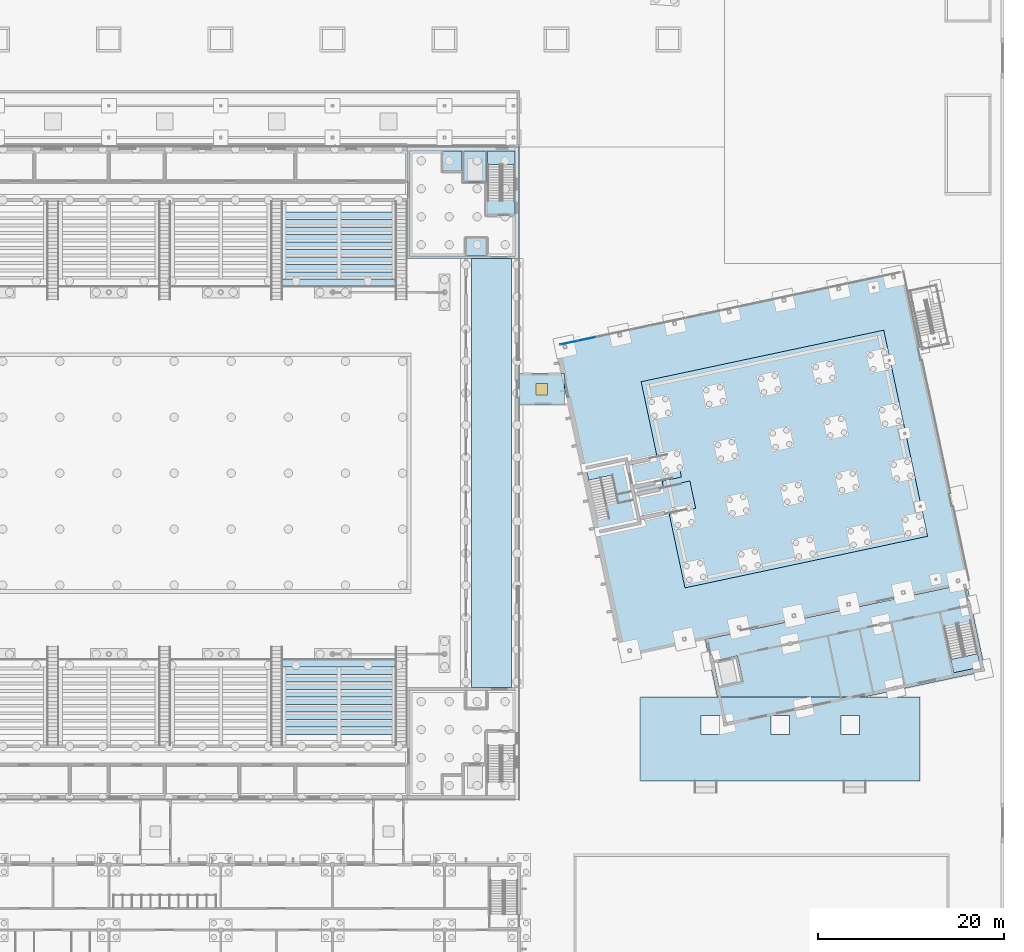
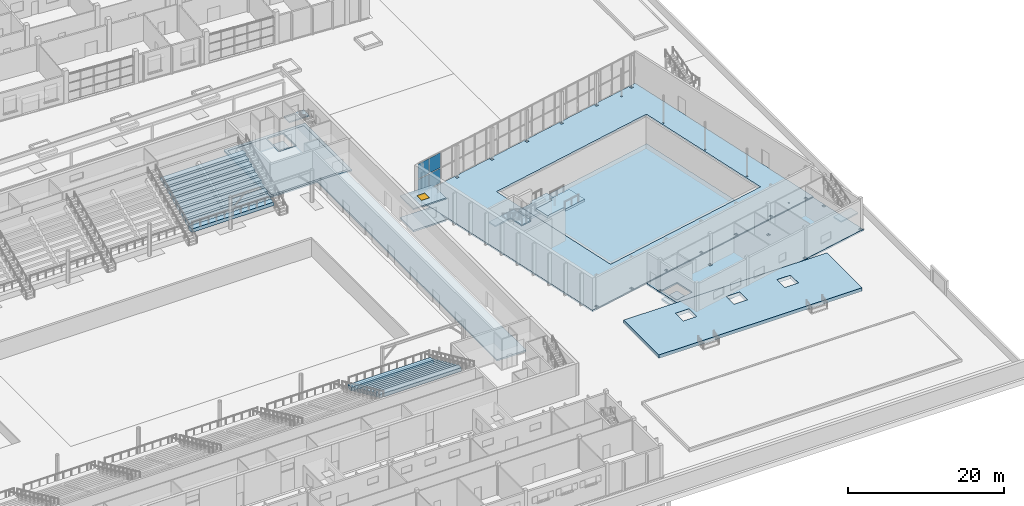
# One storey, part 70 of 157: 36 slabs, 4 plates, 1 window, 1 opening, 4 elements without a shape of their own.
"""IFC4 building model written with IfcOpenShell, lengths in metres."""

from ifc_helpers import new_model, si_unit, direction, frame, origin, origin_2d, place, context, subcontext, project, spatial, polyline, rectangle, outline, extrude, material, layer, layer_set, type_object, element, fill, aggregate, save


model = new_model("IFC4")

# Units and contexts
model_context = context("Model", 3, precision=1e-05, world=origin(), true_north=direction((0.0, 1.0)))
body_context = subcontext(model_context, "Body", "Model", "MODEL_VIEW")
ifc_project = project(units=[si_unit("LENGTHUNIT", "METRE"), si_unit("AREAUNIT", "SQUARE_METRE"), si_unit("VOLUMEUNIT", "CUBIC_METRE"), si_unit("PLANEANGLEUNIT", "RADIAN"), si_unit("MASSUNIT", "GRAM", prefix="KILO")], contexts=[model_context])

# Site, building, storey
site_placement = place(None, origin())
site = spatial("IfcSite", under=ifc_project, at=site_placement, CompositionType="ELEMENT")
building_placement = place(site_placement, origin())
building = spatial("IfcBuilding", under=site, at=building_placement, Name="Windward Yard Aquatics Centre", CompositionType="ELEMENT")
storey_placement = place(building_placement, origin())
storey = spatial("IfcBuildingStorey", under=building, at=storey_placement, Name="L00", CompositionType="ELEMENT", Elevation=0.0)

# Slab
ifc_material_1 = material(Name="Concrete C35/45", Category="concrete")
ifc_layer_1 = layer(ifc_material_1, 0.25)
ifc_layer_set_1 = layer_set([ifc_layer_1], Name="C link ground slab 250")
slab_type_1 = type_object("IfcSlabType", Name="C link ground slab 250", PredefinedType="BASESLAB", material=ifc_layer_set_1)
slab_1_placement = place(storey_placement, frame((0.0, 0.0, -0.25)))
element("IfcSlab", 1, at=slab_1_placement, inside=storey, type_object=slab_type_1, Name="Covered diving hall link floor", PredefinedType="BASESLAB", context=body_context, shape_type="SweptSolid", body=[
    extrude(outline(polyline([(152.0, 68.300048828125), (152.0, 71.699951171875), (156.513671875, 71.699951171875), (156.875, 70.0), (156.875, 68.300048828125), (152.0, 68.300048828125)])), origin(), (0.0, 0.0, 1.0), 0.25),
])

# Slab, opening, window
ifc_layer_2 = layer(ifc_material_1, 0.199951171875)
ifc_layer_set_2 = layer_set([ifc_layer_2], Name="C link roof slab 200")
slab_type_2 = type_object("IfcSlabType", Name="C link roof slab 200", PredefinedType="ROOF", material=ifc_layer_set_2)
slab_2_placement = place(storey_placement, frame((0.0, 0.0, 3.199951171875)))
slab_2 = element("IfcSlab", 2, at=slab_2_placement, inside=storey, type_object=slab_type_2, Name="Covered diving hall link roof", PredefinedType="ROOF", context=body_context, shape_type="SweptSolid", body=[
    extrude(outline(polyline([(152.0, 68.300048828125), (152.0, 71.699951171875), (156.875, 71.699951171875), (156.875, 68.300048828125), (152.0, 68.300048828125)])), origin(), (0.0, 0.0, 1.0), 0.199951171875),
])
opening_placement = place(slab_2_placement, frame((154.43798828125, 70.0, 0.0)))
opening = element("IfcOpeningElement", 3, at=opening_placement, cuts=slab_2, Name="Opening CSK04", PredefinedType="OPENING", context=body_context, shape_type="SweptSolid", body=[
    extrude(rectangle(XDim=1.199951171875, YDim=1.199951171875, at=origin_2d()), origin(), (0.0, 0.0, 1.0), 0.199951171875),
])
ifc_material_2 = material(Name="Aluminium framed laminated glazing", Category="aluminium")
window_type = type_object("IfcWindowType", Name="C skylight 1200X1200", PartitioningType="SINGLE_PANEL", PredefinedType="SKYLIGHT", material=ifc_material_2)
window_placement = place(opening_placement, frame((0.0, 0.0, 0.14990234375)))
window = element("IfcWindow", 4, at=window_placement, inside=storey, type_object=window_type, Name="Roof light 1 of the covered diving hall link", OverallHeight=1.199951171875, OverallWidth=1.199951171875, PartitioningType="SINGLE_PANEL", PredefinedType="SKYLIGHT", context=body_context, shape_type="SweptSolid", body=[
    extrude(rectangle(XDim=1.199951171875, YDim=1.199951171875, at=origin_2d()), origin(), (0.0, 0.0, 1.0), 0.050048828125),
])
fill(opening, window)

# Stair, slab
stair_type_1 = type_object("IfcStairType", Name="D Annex stair dog-leg stair", PredefinedType="HALF_TURN_STAIR", material=ifc_material_1)
stair_1_placement = place(storey_placement, origin())
stair_1 = element("IfcStair", 5, at=stair_1_placement, inside=storey, type_object=stair_type_1, Name="L00 Annex stair", PredefinedType="HALF_TURN_STAIR")
ifc_layer_3 = layer(ifc_material_1, 0.199951171875)
ifc_layer_set_3 = layer_set([ifc_layer_3], Name="D Annex stair stair landing 200")
slab_type_3 = type_object("IfcSlabType", Name="D Annex stair stair landing 200", PredefinedType="LANDING", material=ifc_layer_set_3)
slab_3_placement = place(storey_placement, frame((0.0, 0.0, 2.300048828125)))
slab_3 = element("IfcSlab", 6, at=slab_3_placement, type_object=slab_type_3, Name="D-ST1 landing 1", PredefinedType="LANDING", context=body_context, shape_type="SweptSolid", body=[
    extrude(outline(polyline([(198.302978515625, 41.032958984375), (198.608642578125, 39.59521484375), (201.494140625, 40.20849609375), (201.1884765625, 41.646240234375), (198.302978515625, 41.032958984375)])), origin(), (0.0, 0.0, 1.0), 0.199951171875),
])
aggregate(stair_1, [slab_3])

# Curtain wall, plates
ifc_material_3 = material(Name="Aluminium and glass", Category="aluminium")
ifc_layer_4 = layer(ifc_material_3, 0.159912109375)
ifc_layer_set_4 = layer_set([ifc_layer_4], Name="D curtain wall 160")
curtain_wall_type = type_object("IfcCurtainWallType", Name="D curtain wall 160", PredefinedType="NOTDEFINED", material=ifc_layer_set_4)
curtain_wall_placement = place(storey_placement, origin())
curtain_wall = element("IfcCurtainWall", 7, at=curtain_wall_placement, inside=storey, type_object=curtain_wall_type, Name="North glazing L00", PredefinedType="NOTDEFINED")
ifc_material_4 = material(Name="Laminated low-iron glass", Category="glass")
ifc_layer_5 = layer(ifc_material_4, 0.028076171875)
ifc_layer_set_5 = layer_set([ifc_layer_5], Name="D curtain wall glass panel 28")
plate_type = type_object("IfcPlateType", Name="D curtain wall glass panel 28", PredefinedType="CURTAIN_PANEL", material=ifc_layer_set_5)
plate_1_placement = place(storey_placement, frame((157.345947265625, 74.989501953125, 0.1201171875), z_axis=(0.0, 0.0, 1.0), x_axis=(0.978147594815, 0.207911718662, 0.0)))
plate_1 = element("IfcPlate", 8, at=plate_1_placement, type_object=plate_type, Name="DCW-L00 panel 1.1", PredefinedType="CURTAIN_PANEL", context=body_context, shape_type="SweptSolid", body=[
    extrude(rectangle(XDim=1.875732421875, YDim=0.028076171875, at=origin_2d()), origin(), (0.0, 0.0, 1.0), 2.320068359375),
])
plate_2_placement = place(storey_placement, frame((157.345947265625, 74.989501953125, 2.56005859375), z_axis=(0.0, 0.0, 1.0), x_axis=(0.978147594815, 0.207911718662, 0.0)))
plate_2 = element("IfcPlate", 9, at=plate_2_placement, type_object=plate_type, Name="DCW-L00 panel 1.2", PredefinedType="CURTAIN_PANEL", context=body_context, shape_type="SweptSolid", body=[
    extrude(rectangle(XDim=1.875732421875, YDim=0.028076171875, at=origin_2d()), origin(), (0.0, 0.0, 1.0), 2.320068359375),
])
plate_3_placement = place(storey_placement, frame((159.254150390625, 75.395263671875, 0.1201171875), z_axis=(0.0, 0.0, 1.0), x_axis=(0.978147594815, 0.207911718662, 0.0)))
plate_3 = element("IfcPlate", 10, at=plate_3_placement, type_object=plate_type, Name="DCW-L00 panel 2.1", PredefinedType="CURTAIN_PANEL", context=body_context, shape_type="SweptSolid", body=[
    extrude(rectangle(XDim=1.90576171875, YDim=0.028076171875, at=origin_2d()), origin(), (0.0, 0.0, 1.0), 2.320068359375),
])
plate_4_placement = place(storey_placement, frame((159.254150390625, 75.395263671875, 2.56005859375), z_axis=(0.0, 0.0, 1.0), x_axis=(0.978147594815, 0.207911718662, 0.0)))
plate_4 = element("IfcPlate", 11, at=plate_4_placement, type_object=plate_type, Name="DCW-L00 panel 2.2", PredefinedType="CURTAIN_PANEL", context=body_context, shape_type="SweptSolid", body=[
    extrude(rectangle(XDim=1.90576171875, YDim=0.028076171875, at=origin_2d()), origin(), (0.0, 0.0, 1.0), 2.320068359375),
])
aggregate(curtain_wall, [plate_1, plate_2, plate_3, plate_4])

# Slabs
ifc_layer_6 = layer(ifc_material_1, 0.39990234375)
ifc_layer_set_6 = layer_set([ifc_layer_6], Name="D diving platform slab 400")
slab_type_4 = type_object("IfcSlabType", Name="D diving platform slab 400", PredefinedType="FLOOR", material=ifc_layer_set_6)
slab_4_placement = place(storey_placement, frame((0.0, 0.0, 2.60009765625)))
element("IfcSlab", 12, at=slab_4_placement, inside=storey, type_object=slab_type_4, Name="D.S.PF1", PredefinedType="FLOOR", context=body_context, shape_type="SweptSolid", body=[
    extrude(outline(polyline([(163.772705078125, 61.83837890625), (164.22998046875, 59.6865234375), (166.52880859375, 60.175048828125), (166.5703125, 59.9794921875), (169.406982421875, 60.58251953125), (168.82470703125, 63.3212890625), (165.98828125, 62.71826171875), (166.0712890625, 62.326904296875), (163.772705078125, 61.83837890625)])), origin(), (0.0, 0.0, 1.0), 0.39990234375),
])
slab_5_placement = place(storey_placement, frame((0.0, 0.0, 4.60009765625)))
element("IfcSlab", 13, at=slab_5_placement, inside=storey, type_object=slab_type_4, Name="D.S.PF2", PredefinedType="FLOOR", context=body_context, shape_type="SweptSolid", body=[
    extrude(outline(polyline([(164.4794921875, 58.5126953125), (164.93701171875, 56.36083984375), (167.626953125, 56.9326171875), (167.710205078125, 56.541259765625), (170.93798828125, 57.227294921875), (170.314208984375, 60.161865234375), (167.086181640625, 59.475830078125), (167.16943359375, 59.08447265625), (164.4794921875, 58.5126953125)])), origin(), (0.0, 0.0, 1.0), 0.39990234375),
])
ifc_layer_7 = layer(ifc_material_1, 0.25)
ifc_layer_set_7 = layer_set([ifc_layer_7], Name="D ground slab 250")
slab_type_5 = type_object("IfcSlabType", Name="D ground slab 250", PredefinedType="BASESLAB", material=ifc_layer_set_7)
slab_6_placement = place(storey_placement, frame((0.0, 0.0, -0.25)))
element("IfcSlab", 14, at=slab_6_placement, inside=storey, type_object=slab_type_5, Name="D.S.GROUND", PredefinedType="BASESLAB", context=body_context, shape_type="SweptSolid", body=[
    extrude(outline(polyline([(171.930908203125, 43.1767578125), (173.927001953125, 33.78662109375), (201.999755859375, 39.753662109375), (200.00390625, 49.143798828125), (171.930908203125, 43.1767578125)]), holes=[polyline([(173.882080078125, 34.2373046875), (174.2734375, 34.3203125), (174.356689453125, 33.92919921875), (173.96533203125, 33.845947265625), (173.882080078125, 34.2373046875)]), polyline([(182.294189453125, 36.025146484375), (182.685546875, 36.1083984375), (182.768798828125, 35.717041015625), (182.37744140625, 35.634033203125), (182.294189453125, 36.025146484375)]), polyline([(192.07568359375, 38.104248046875), (192.467041015625, 38.1875), (192.55029296875, 37.796142578125), (192.158935546875, 37.713134765625), (192.07568359375, 38.104248046875)]), polyline([(201.466064453125, 40.100341796875), (201.857421875, 40.18359375), (201.9404296875, 39.792236328125), (201.54931640625, 39.708984375), (201.466064453125, 40.100341796875)]), polyline([(172.4267578125, 41.084228515625), (172.818115234375, 41.16748046875), (172.880615234375, 40.873779296875), (175.423583984375, 41.41455078125), (176.026611328125, 38.577880859375), (173.4345703125, 38.02685546875), (172.852294921875, 40.765625), (172.510009765625, 40.693115234375), (172.4267578125, 41.084228515625)]), polyline([(180.8388671875, 42.872314453125), (181.230224609375, 42.955322265625), (181.313232421875, 42.564208984375), (180.922119140625, 42.48095703125), (180.8388671875, 42.872314453125)]), polyline([(190.620361328125, 44.951416015625), (191.01171875, 45.034423828125), (191.0947265625, 44.643310546875), (190.70361328125, 44.56005859375), (190.620361328125, 44.951416015625)]), polyline([(200.010498046875, 46.947265625), (200.40185546875, 47.030517578125), (200.485107421875, 46.63916015625), (200.09375, 46.55615234375), (200.010498046875, 46.947265625)])]), origin(), (0.0, 0.0, 1.0), 0.25),
])
ifc_layer_8 = layer(ifc_material_1, 0.300048828125)
ifc_layer_set_8 = layer_set([ifc_layer_8], Name="D lift pit floor 300")
slab_type_6 = type_object("IfcSlabType", Name="D lift pit floor 300", PredefinedType="BASESLAB", material=ifc_layer_set_8)
slab_7_placement = place(storey_placement, frame((0.0, 0.0, -1.60009765625)))
element("IfcSlab", 15, at=slab_7_placement, inside=storey, type_object=slab_type_6, Name="D.S.PIT", PredefinedType="BASESLAB", context=body_context, shape_type="SweptSolid", body=[
    extrude(outline(polyline([(172.83154296875, 40.863525390625), (173.4345703125, 38.02685546875), (176.026611328125, 38.577880859375), (175.423583984375, 41.41455078125), (172.83154296875, 40.863525390625)])), origin(), (0.0, 0.0, 1.0), 0.300048828125),
])
ifc_layer_9 = layer(ifc_material_1, 0.25)
ifc_layer_set_9 = layer_set([ifc_layer_9], Name="D pool deck slab 250")
slab_type_7 = type_object("IfcSlabType", Name="D pool deck slab 250", PredefinedType="BASESLAB", material=ifc_layer_set_9)
slab_8_placement = place(storey_placement, frame((0.0, 0.0, -0.25)))
element("IfcSlab", 16, at=slab_8_placement, inside=storey, type_object=slab_type_7, Name="D.S.DECK", PredefinedType="BASESLAB", context=body_context, shape_type="SweptSolid", body=[
    extrude(outline(polyline([(155.880615234375, 74.67822265625), (162.94970703125, 41.421142578125), (200.119384765625, 49.32177734375), (193.05029296875, 82.578857421875), (155.880615234375, 74.67822265625)]), holes=[polyline([(163.64599609375, 42.098876953125), (163.994384765625, 42.1728515625), (164.068359375, 41.824462890625), (163.719970703125, 41.75048828125), (163.64599609375, 42.098876953125)]), polyline([(169.514892578125, 43.34619140625), (169.863037109375, 43.420166015625), (169.937255859375, 43.072021484375), (169.5888671875, 42.998046875), (169.514892578125, 43.34619140625)]), polyline([(175.3837890625, 44.59375), (175.73193359375, 44.667724609375), (175.805908203125, 44.319580078125), (175.457763671875, 44.24560546875), (175.3837890625, 44.59375)]), polyline([(181.252685546875, 45.84130859375), (181.600830078125, 45.915283203125), (181.6748046875, 45.56689453125), (181.32666015625, 45.492919921875), (181.252685546875, 45.84130859375)]), polyline([(165.56103515625, 70.49951171875), (190.797119140625, 75.863525390625), (195.32958984375, 54.5400390625), (170.093505859375, 49.17578125), (165.56103515625, 70.49951171875)]), polyline([(156.718505859375, 74.690673828125), (157.066650390625, 74.7646484375), (157.140625, 74.41650390625), (156.79248046875, 74.34228515625), (156.718505859375, 74.690673828125)]), polyline([(162.58740234375, 75.93798828125), (162.935546875, 76.01220703125), (163.009521484375, 75.663818359375), (162.661376953125, 75.58984375), (162.58740234375, 75.93798828125)]), polyline([(168.456298828125, 77.185546875), (168.804443359375, 77.259521484375), (168.87841796875, 76.911376953125), (168.5302734375, 76.83740234375), (168.456298828125, 77.185546875)]), polyline([(174.3251953125, 78.43310546875), (174.67333984375, 78.507080078125), (174.747314453125, 78.15869140625), (174.399169921875, 78.084716796875), (174.3251953125, 78.43310546875)]), polyline([(180.194091796875, 79.680419921875), (180.542236328125, 79.75439453125), (180.6162109375, 79.40625), (180.26806640625, 79.332275390625), (180.194091796875, 79.680419921875)]), polyline([(187.12158203125, 47.088623046875), (187.4697265625, 47.16259765625), (187.543701171875, 46.814453125), (187.195556640625, 46.740478515625), (187.12158203125, 47.088623046875)]), polyline([(192.990478515625, 48.336181640625), (193.338623046875, 48.41015625), (193.41259765625, 48.06201171875), (193.064453125, 47.98779296875), (192.990478515625, 48.336181640625)]), polyline([(198.859375, 49.58349609375), (199.20751953125, 49.65771484375), (199.281494140625, 49.309326171875), (198.933349609375, 49.2353515625), (198.859375, 49.58349609375)]), polyline([(196.56494140625, 49.69091796875), (196.760498046875, 49.732421875), (196.802001953125, 49.536865234375), (196.6064453125, 49.4951171875), (196.56494140625, 49.69091796875)]), polyline([(194.901611328125, 57.51611328125), (195.09716796875, 57.5576171875), (195.138916015625, 57.362060546875), (194.943115234375, 57.3203125), (194.901611328125, 57.51611328125)]), polyline([(193.23828125, 65.34130859375), (193.433837890625, 65.3828125), (193.4755859375, 65.187255859375), (193.27978515625, 65.1455078125), (193.23828125, 65.34130859375)]), polyline([(191.574951171875, 73.16650390625), (191.7705078125, 73.2080078125), (191.812255859375, 73.012451171875), (191.61669921875, 72.970703125), (191.574951171875, 73.16650390625)]), polyline([(189.91162109375, 80.99169921875), (190.107421875, 81.033203125), (190.14892578125, 80.837646484375), (189.953369140625, 80.7958984375), (189.91162109375, 80.99169921875)]), polyline([(186.062744140625, 80.927978515625), (186.4111328125, 81.001953125), (186.485107421875, 80.65380859375), (186.136962890625, 80.579833984375), (186.062744140625, 80.927978515625)]), polyline([(191.931640625, 82.175537109375), (192.280029296875, 82.24951171875), (192.35400390625, 81.901123046875), (192.005615234375, 81.8271484375), (191.931640625, 82.175537109375)])]), origin(), (0.0, 0.0, 1.0), 0.25),
])
ifc_material_5 = material(Name="Ceramic tile in waterproof adhesive")
ifc_layer_10 = layer(ifc_material_5, 0.02, Name="Tile lining")
ifc_material_6 = material(Name="Cementitious waterproofing membrane")
ifc_layer_11 = layer(ifc_material_6, 0.005, Name="Waterproofing")
ifc_material_7 = material(Name="Concrete C40/50", Category="concrete")
ifc_layer_12 = layer(ifc_material_7, 0.575, Name="Structure")
ifc_layer_set_10 = layer_set([ifc_layer_10, ifc_layer_11, ifc_layer_12], Name="D tank floor slab 600")
slab_type_8 = type_object("IfcSlabType", Name="D tank floor slab 600", PredefinedType="BASESLAB", material=ifc_layer_set_10)
slab_9_placement = place(storey_placement, frame((0.0, 0.0, -5.60009765625)))
element("IfcSlab", 17, at=slab_9_placement, inside=storey, type_object=slab_type_8, Name="Diving Pool Tank Floor Slab", PredefinedType="BASESLAB", context=body_context, shape_type="SweptSolid", body=[
    extrude(outline(polyline([(165.086669921875, 70.8076171875), (169.785400390625, 48.701416015625), (195.80419921875, 54.23193359375), (191.105224609375, 76.338134765625), (165.086669921875, 70.8076171875)])), origin(), (0.0, 0.0, 1.0), 0.60009765625),
])

# Stair, slab
ifc_material_8 = material(Name="Stainless steel 1.4529", Category="steel")
stair_type_2 = type_object("IfcStairType", Name="D tower stair pan", PredefinedType="STRAIGHT_RUN_STAIR", material=ifc_material_8)
stair_2_placement = place(storey_placement, origin())
stair_2 = element("IfcStair", 18, at=stair_2_placement, inside=storey, type_object=stair_type_2, Name="Tower stair flight 2", PredefinedType="STRAIGHT_RUN_STAIR")
ifc_layer_13 = layer(ifc_material_1, 0.199951171875)
ifc_layer_set_11 = layer_set([ifc_layer_13], Name="D tower stair landing 200")
slab_type_9 = type_object("IfcSlabType", Name="D tower stair landing 200", PredefinedType="LANDING", material=ifc_layer_set_11)
slab_10_placement = place(storey_placement, frame((0.0, 0.0, 2.800048828125)))
slab_10 = element("IfcSlab", 19, at=slab_10_placement, type_object=slab_type_9, Name="DTS landing 1", PredefinedType="LANDING", context=body_context, shape_type="SweptSolid", body=[
    extrude(outline(polyline([(159.207763671875, 61.430419921875), (159.457763671875, 60.254638671875), (162.0498046875, 60.8056640625), (162.496337890625, 58.70458984375), (164.061279296875, 59.037353515625), (163.364990234375, 62.314208984375), (159.207763671875, 61.430419921875)])), origin(), (0.0, 0.0, 1.0), 0.199951171875),
])
aggregate(stair_2, [slab_10])

# Slabs
ifc_layer_14 = layer(ifc_material_1, 0.25)
ifc_layer_set_12 = layer_set([ifc_layer_14], Name="H Core Ground Slab Concrete C35/45 250")
slab_type_10 = type_object("IfcSlabType", Name="H Core Ground Slab Concrete C35/45 250", PredefinedType="BASESLAB", material=ifc_layer_set_12)
slab_11_placement = place(storey_placement, frame((0.0, 0.0, -0.25)))
element("IfcSlab", 20, at=slab_11_placement, inside=storey, type_object=slab_type_10, Name="L00 core floor NE", PredefinedType="BASESLAB", context=body_context, shape_type="SweptSolid", body=[
    extrude(outline(polyline([(140.300048828125, 84.300048828125), (151.550048828125, 84.300048828125), (151.550048828125, 95.550048828125), (148.5, 95.550048828125), (148.5, 92.14990234375), (145.89990234375, 92.14990234375), (145.89990234375, 95.550048828125), (140.300048828125, 95.550048828125), (140.300048828125, 84.300048828125)])), origin(), (0.0, 0.0, 1.0), 0.25),
])
ifc_layer_15 = layer(ifc_material_1, 0.300048828125)
ifc_layer_set_13 = layer_set([ifc_layer_15], Name="H Lift Pit Slab Concrete C35/45 300")
slab_type_11 = type_object("IfcSlabType", Name="H Lift Pit Slab Concrete C35/45 300", PredefinedType="BASESLAB", material=ifc_layer_set_13)
slab_12_placement = place(storey_placement, frame((0.0, 0.0, -1.60009765625)))
element("IfcSlab", 21, at=slab_12_placement, inside=storey, type_object=slab_type_11, Name="Lift pit slab NE", PredefinedType="BASESLAB", context=body_context, shape_type="SweptSolid", body=[
    extrude(outline(polyline([(145.89990234375, 92.14990234375), (148.5, 92.14990234375), (148.5, 95.550048828125), (145.89990234375, 95.550048828125), (145.89990234375, 92.14990234375)])), origin(), (0.0, 0.0, 1.0), 0.300048828125),
])

# Stair, slab
stair_type_3 = type_object("IfcStairType", Name="H Core Stair Concrete C35/45 1400", PredefinedType="HALF_TURN_STAIR", material=ifc_material_1)
stair_3_placement = place(storey_placement, origin())
stair_3 = element("IfcStair", 22, at=stair_3_placement, inside=storey, type_object=stair_type_3, Name="L00 Stair NE", PredefinedType="HALF_TURN_STAIR")
ifc_layer_16 = layer(ifc_material_1, 0.199951171875)
ifc_layer_set_14 = layer_set([ifc_layer_16], Name="H Stair Landing Concrete C35/45 200")
slab_type_12 = type_object("IfcSlabType", Name="H Stair Landing Concrete C35/45 200", PredefinedType="LANDING", material=ifc_layer_set_14)
slab_13_placement = place(storey_placement, frame((0.0, 0.0, 2.300048828125)))
slab_13 = element("IfcSlab", 23, at=slab_13_placement, type_object=slab_type_12, Name="ST4 landing 1", PredefinedType="LANDING", context=body_context, shape_type="SweptSolid", body=[
    extrude(outline(polyline([(148.60009765625, 94.1201171875), (151.550048828125, 94.1201171875), (151.550048828125, 95.550048828125), (148.60009765625, 95.550048828125), (148.60009765625, 94.1201171875)])), origin(), (0.0, 0.0, 1.0), 0.199951171875),
])
aggregate(stair_3, [slab_13])

# Slabs
ifc_layer_17 = layer(ifc_material_1, 0.25)
ifc_layer_set_15 = layer_set([ifc_layer_17], Name="H ground slab 250 C35/45")
slab_type_13 = type_object("IfcSlabType", Name="H ground slab 250 C35/45", PredefinedType="BASESLAB", material=ifc_layer_set_15)
slab_14_placement = place(storey_placement, frame((0.0, 0.0, -0.25)))
element("IfcSlab", 24, at=slab_14_placement, inside=storey, type_object=slab_type_13, Name="H.GS.05", PredefinedType="BASESLAB", context=body_context, shape_type="SweptSolid", body=[
    extrude(outline(polyline([(146.890380859375, 38.0), (146.890380859375, 84.0), (151.175048828125, 84.0), (151.175048828125, 38.0), (146.890380859375, 38.0)])), origin(), (0.0, 0.0, 1.0), 0.25),
])
slab_15_placement = place(storey_placement, frame((0.0, 0.0, -0.25)))
element("IfcSlab", 25, at=slab_15_placement, inside=storey, type_object=slab_type_13, Name="H.GS.C.NE.1", PredefinedType="BASESLAB", context=body_context, shape_type="SweptSolid", body=[
    extrude(outline(polyline([(140.0, 84.0), (140.0, 96.0), (152.0, 96.0), (152.0, 84.0), (140.0, 84.0)]), holes=[polyline([(140.300048828125, 84.300048828125), (151.550048828125, 84.300048828125), (151.550048828125, 95.550048828125), (148.5, 95.550048828125), (148.5, 92.14990234375), (145.89990234375, 92.14990234375), (145.89990234375, 95.550048828125), (140.300048828125, 95.550048828125), (140.300048828125, 84.300048828125)]), polyline([(146.10009765625, 92.35009765625), (148.39990234375, 92.35009765625), (148.39990234375, 95.550048828125), (146.10009765625, 95.550048828125), (146.10009765625, 92.35009765625)])]), origin(), (0.0, 0.0, 1.0), 0.25),
])
ifc_layer_18 = layer(ifc_material_1, 0.5400390625)
ifc_layer_set_16 = layer_set([ifc_layer_18], Name="H seating unit 540 C35/45")
slab_type_14 = type_object("IfcSlabType", Name="H seating unit 540 C35/45", PredefinedType="USERDEFINED", material=ifc_layer_set_16)
slab_16_placement = place(storey_placement, frame((0.0, 0.0, 0.860107421875)))
element("IfcSlab", 26, at=slab_16_placement, inside=storey, type_object=slab_type_14, Name="H.ST.S.6.R01", ObjectType="SEATING UNIT", PredefinedType="USERDEFINED", context=body_context, shape_type="SweptSolid", body=[
    extrude(outline(polyline([(126.625, 40.199951171875), (138.75, 40.199951171875), (138.75, 41.0), (126.625, 41.0), (126.625, 40.199951171875)])), origin(), (0.0, 0.0, 1.0), 0.539794921875),
])
slab_17_placement = place(storey_placement, frame((0.0, 0.0, 1.219970703125)))
element("IfcSlab", 27, at=slab_17_placement, inside=storey, type_object=slab_type_14, Name="H.ST.S.6.R02", ObjectType="SEATING UNIT", PredefinedType="USERDEFINED", context=body_context, shape_type="SweptSolid", body=[
    extrude(outline(polyline([(126.625, 39.39990234375), (138.75, 39.39990234375), (138.75, 40.199951171875), (126.625, 40.199951171875), (126.625, 39.39990234375)])), origin(), (0.0, 0.0, 1.0), 0.5400390625),
])
slab_18_placement = place(storey_placement, frame((0.0, 0.0, 1.580078125)))
element("IfcSlab", 28, at=slab_18_placement, inside=storey, type_object=slab_type_14, Name="H.ST.S.6.R03", ObjectType="SEATING UNIT", PredefinedType="USERDEFINED", context=body_context, shape_type="SweptSolid", body=[
    extrude(outline(polyline([(126.625, 38.60009765625), (138.75, 38.60009765625), (138.75, 39.39990234375), (126.625, 39.39990234375), (126.625, 38.60009765625)])), origin(), (0.0, 0.0, 1.0), 0.5400390625),
])
slab_19_placement = place(storey_placement, frame((0.0, 0.0, 1.93994140625)))
element("IfcSlab", 29, at=slab_19_placement, inside=storey, type_object=slab_type_14, Name="H.ST.S.6.R04", ObjectType="SEATING UNIT", PredefinedType="USERDEFINED", context=body_context, shape_type="SweptSolid", body=[
    extrude(outline(polyline([(126.625, 37.800048828125), (138.75, 37.800048828125), (138.75, 38.60009765625), (126.625, 38.60009765625), (126.625, 37.800048828125)])), origin(), (0.0, 0.0, 1.0), 0.5400390625),
])
slab_20_placement = place(storey_placement, frame((0.0, 0.0, 2.300048828125)))
element("IfcSlab", 30, at=slab_20_placement, inside=storey, type_object=slab_type_14, Name="H.ST.S.6.R05", ObjectType="SEATING UNIT", PredefinedType="USERDEFINED", context=body_context, shape_type="SweptSolid", body=[
    extrude(outline(polyline([(126.625, 37.0), (138.75, 37.0), (138.75, 37.800048828125), (126.625, 37.800048828125), (126.625, 37.0)])), origin(), (0.0, 0.0, 1.0), 0.5400390625),
])
slab_21_placement = place(storey_placement, frame((0.0, 0.0, 2.659912109375)))
element("IfcSlab", 31, at=slab_21_placement, inside=storey, type_object=slab_type_14, Name="H.ST.S.6.R06", ObjectType="SEATING UNIT", PredefinedType="USERDEFINED", context=body_context, shape_type="SweptSolid", body=[
    extrude(outline(polyline([(126.625, 36.199951171875), (138.75, 36.199951171875), (138.75, 37.0), (126.625, 37.0), (126.625, 36.199951171875)])), origin(), (0.0, 0.0, 1.0), 0.5400390625),
])
slab_22_placement = place(storey_placement, frame((0.0, 0.0, 3.02001953125)))
element("IfcSlab", 32, at=slab_22_placement, inside=storey, type_object=slab_type_14, Name="H.ST.S.6.R07", ObjectType="SEATING UNIT", PredefinedType="USERDEFINED", context=body_context, shape_type="SweptSolid", body=[
    extrude(outline(polyline([(126.625, 35.39990234375), (138.75, 35.39990234375), (138.75, 36.199951171875), (126.625, 36.199951171875), (126.625, 35.39990234375)])), origin(), (0.0, 0.0, 1.0), 0.5400390625),
])
slab_23_placement = place(storey_placement, frame((0.0, 0.0, 3.3798828125)))
element("IfcSlab", 33, at=slab_23_placement, inside=storey, type_object=slab_type_14, Name="H.ST.S.6.R08", ObjectType="SEATING UNIT", PredefinedType="USERDEFINED", context=body_context, shape_type="SweptSolid", body=[
    extrude(outline(polyline([(126.625, 34.60009765625), (138.75, 34.60009765625), (138.75, 35.39990234375), (126.625, 35.39990234375), (126.625, 34.60009765625)])), origin(), (0.0, 0.0, 1.0), 0.5400390625),
])
slab_24_placement = place(storey_placement, frame((0.0, 0.0, 3.739990234375)))
element("IfcSlab", 34, at=slab_24_placement, inside=storey, type_object=slab_type_14, Name="H.ST.S.6.R09", ObjectType="SEATING UNIT", PredefinedType="USERDEFINED", context=body_context, shape_type="SweptSolid", body=[
    extrude(outline(polyline([(126.625, 33.800048828125), (138.75, 33.800048828125), (138.75, 34.60009765625), (126.625, 34.60009765625), (126.625, 33.800048828125)])), origin(), (0.0, 0.0, 1.0), 0.5400390625),
])
slab_25_placement = place(storey_placement, frame((0.0, 0.0, 4.10009765625)))
element("IfcSlab", 35, at=slab_25_placement, inside=storey, type_object=slab_type_14, Name="H.ST.S.6.R10", ObjectType="SEATING UNIT", PredefinedType="USERDEFINED", context=body_context, shape_type="SweptSolid", body=[
    extrude(outline(polyline([(126.625, 33.0), (138.75, 33.0), (138.75, 33.800048828125), (126.625, 33.800048828125), (126.625, 33.0)])), origin(), (0.0, 0.0, 1.0), 0.539794921875),
])
slab_26_placement = place(storey_placement, frame((0.0, 0.0, 0.860107421875)))
element("IfcSlab", 36, at=slab_26_placement, inside=storey, type_object=slab_type_14, Name="H.ST.N.6.R01", ObjectType="SEATING UNIT", PredefinedType="USERDEFINED", context=body_context, shape_type="SweptSolid", body=[
    extrude(outline(polyline([(126.625, 81.0), (138.75, 81.0), (138.75, 81.800048828125), (126.625, 81.800048828125), (126.625, 81.0)])), origin(), (0.0, 0.0, 1.0), 0.539794921875),
])
slab_27_placement = place(storey_placement, frame((0.0, 0.0, 1.219970703125)))
element("IfcSlab", 37, at=slab_27_placement, inside=storey, type_object=slab_type_14, Name="H.ST.N.6.R02", ObjectType="SEATING UNIT", PredefinedType="USERDEFINED", context=body_context, shape_type="SweptSolid", body=[
    extrude(outline(polyline([(126.625, 81.800048828125), (138.75, 81.800048828125), (138.75, 82.60009765625), (126.625, 82.60009765625), (126.625, 81.800048828125)])), origin(), (0.0, 0.0, 1.0), 0.5400390625),
])
slab_28_placement = place(storey_placement, frame((0.0, 0.0, 1.580078125)))
element("IfcSlab", 38, at=slab_28_placement, inside=storey, type_object=slab_type_14, Name="H.ST.N.6.R03", ObjectType="SEATING UNIT", PredefinedType="USERDEFINED", context=body_context, shape_type="SweptSolid", body=[
    extrude(outline(polyline([(126.625, 82.60009765625), (138.75, 82.60009765625), (138.75, 83.39990234375), (126.625, 83.39990234375), (126.625, 82.60009765625)])), origin(), (0.0, 0.0, 1.0), 0.5400390625),
])
slab_29_placement = place(storey_placement, frame((0.0, 0.0, 1.93994140625)))
element("IfcSlab", 39, at=slab_29_placement, inside=storey, type_object=slab_type_14, Name="H.ST.N.6.R04", ObjectType="SEATING UNIT", PredefinedType="USERDEFINED", context=body_context, shape_type="SweptSolid", body=[
    extrude(outline(polyline([(126.625, 83.39990234375), (138.75, 83.39990234375), (138.75, 84.199951171875), (126.625, 84.199951171875), (126.625, 83.39990234375)])), origin(), (0.0, 0.0, 1.0), 0.5400390625),
])
slab_30_placement = place(storey_placement, frame((0.0, 0.0, 2.300048828125)))
element("IfcSlab", 40, at=slab_30_placement, inside=storey, type_object=slab_type_14, Name="H.ST.N.6.R05", ObjectType="SEATING UNIT", PredefinedType="USERDEFINED", context=body_context, shape_type="SweptSolid", body=[
    extrude(outline(polyline([(126.625, 84.199951171875), (138.75, 84.199951171875), (138.75, 85.0), (126.625, 85.0), (126.625, 84.199951171875)])), origin(), (0.0, 0.0, 1.0), 0.5400390625),
])
slab_31_placement = place(storey_placement, frame((0.0, 0.0, 2.659912109375)))
element("IfcSlab", 41, at=slab_31_placement, inside=storey, type_object=slab_type_14, Name="H.ST.N.6.R06", ObjectType="SEATING UNIT", PredefinedType="USERDEFINED", context=body_context, shape_type="SweptSolid", body=[
    extrude(outline(polyline([(126.625, 85.0), (138.75, 85.0), (138.75, 85.800048828125), (126.625, 85.800048828125), (126.625, 85.0)])), origin(), (0.0, 0.0, 1.0), 0.5400390625),
])
slab_32_placement = place(storey_placement, frame((0.0, 0.0, 3.02001953125)))
element("IfcSlab", 42, at=slab_32_placement, inside=storey, type_object=slab_type_14, Name="H.ST.N.6.R07", ObjectType="SEATING UNIT", PredefinedType="USERDEFINED", context=body_context, shape_type="SweptSolid", body=[
    extrude(outline(polyline([(126.625, 85.800048828125), (138.75, 85.800048828125), (138.75, 86.60009765625), (126.625, 86.60009765625), (126.625, 85.800048828125)])), origin(), (0.0, 0.0, 1.0), 0.5400390625),
])
slab_33_placement = place(storey_placement, frame((0.0, 0.0, 3.3798828125)))
element("IfcSlab", 43, at=slab_33_placement, inside=storey, type_object=slab_type_14, Name="H.ST.N.6.R08", ObjectType="SEATING UNIT", PredefinedType="USERDEFINED", context=body_context, shape_type="SweptSolid", body=[
    extrude(outline(polyline([(126.625, 86.60009765625), (138.75, 86.60009765625), (138.75, 87.39990234375), (126.625, 87.39990234375), (126.625, 86.60009765625)])), origin(), (0.0, 0.0, 1.0), 0.5400390625),
])
slab_34_placement = place(storey_placement, frame((0.0, 0.0, 3.739990234375)))
element("IfcSlab", 44, at=slab_34_placement, inside=storey, type_object=slab_type_14, Name="H.ST.N.6.R09", ObjectType="SEATING UNIT", PredefinedType="USERDEFINED", context=body_context, shape_type="SweptSolid", body=[
    extrude(outline(polyline([(126.625, 87.39990234375), (138.75, 87.39990234375), (138.75, 88.199951171875), (126.625, 88.199951171875), (126.625, 87.39990234375)])), origin(), (0.0, 0.0, 1.0), 0.5400390625),
])
slab_35_placement = place(storey_placement, frame((0.0, 0.0, 4.10009765625)))
element("IfcSlab", 45, at=slab_35_placement, inside=storey, type_object=slab_type_14, Name="H.ST.N.6.R10", ObjectType="SEATING UNIT", PredefinedType="USERDEFINED", context=body_context, shape_type="SweptSolid", body=[
    extrude(outline(polyline([(126.625, 88.199951171875), (138.75, 88.199951171875), (138.75, 89.0), (126.625, 89.0), (126.625, 88.199951171875)])), origin(), (0.0, 0.0, 1.0), 0.539794921875),
])
ifc_material_9 = material(Name="Concrete C30/37", Category="concrete")
ifc_layer_19 = layer(ifc_material_9, 0.550048828125)
ifc_layer_set_17 = layer_set([ifc_layer_19], Name="X Terrace Platform Slab Concrete C30/37 550")
slab_type_15 = type_object("IfcSlabType", Name="X Terrace Platform Slab Concrete C30/37 550", PredefinedType="FLOOR", material=ifc_layer_set_17)
slab_36_placement = place(storey_placement, frame((0.0, 0.0, -0.10009765625)))
element("IfcSlab", 46, at=slab_36_placement, inside=storey, type_object=slab_type_15, Name="East garden terrace", PredefinedType="FLOOR", context=body_context, shape_type="SweptSolid", body=[
    extrude(outline(polyline([(165.0, 28.0), (195.0, 28.0), (195.0, 37.0), (165.0, 37.0), (165.0, 28.0)]), holes=[polyline([(171.5, 33.0), (173.5, 33.0), (173.5, 35.0), (171.5, 35.0), (171.5, 33.0)]), polyline([(179.0, 33.0), (181.0, 33.0), (181.0, 35.0), (179.0, 35.0), (179.0, 33.0)]), polyline([(186.5, 33.0), (188.5, 33.0), (188.5, 35.0), (186.5, 35.0), (186.5, 33.0)])]), origin(), (0.0, 0.0, 1.0), 0.550048828125),
])

save(model, "model.ifc")
